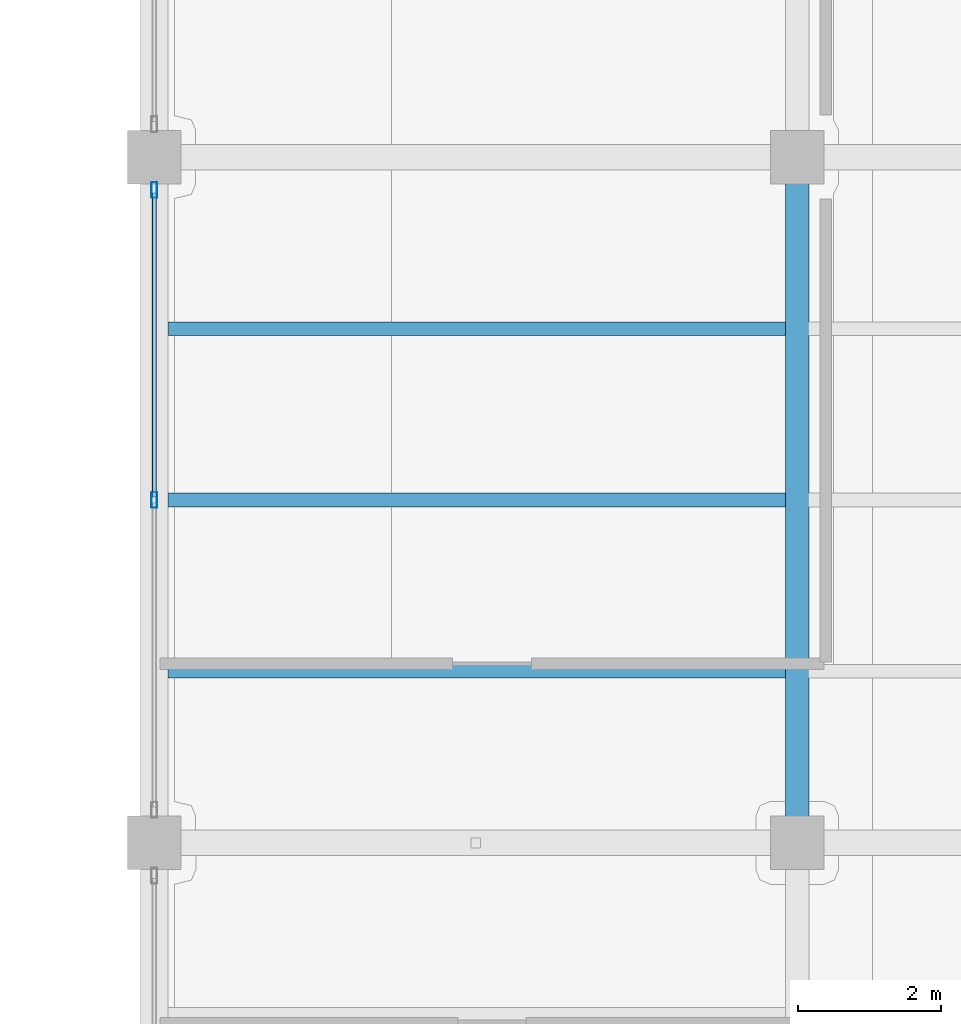
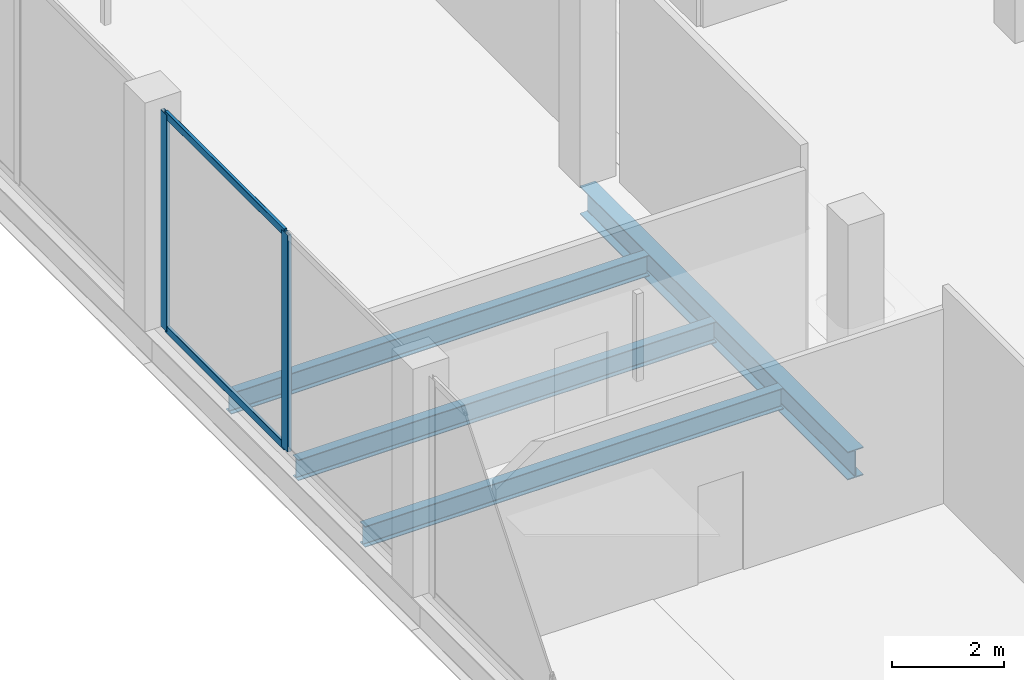
# One storey, part 9 of 47: 4 beams, 4 members, 1 element without a shape of its own.
"""IFC4 building model written with IfcOpenShell, lengths in metres."""

from ifc_helpers import new_model, si_unit, direction, frame, origin, origin_2d, place, context, subcontext, project, spatial, hollow_rectangle, i_section, extrude, material, layer, layer_set, material_profile, profile_set, type_object, element, aggregate, save


model = new_model("IFC4")

# Units and contexts
model_context = context("Model", 3, precision=1e-05, world=origin(), true_north=direction((0.0, 1.0)))
body_context = subcontext(model_context, "Body", "Model", "MODEL_VIEW")
ifc_project = project(units=[si_unit("LENGTHUNIT", "METRE"), si_unit("AREAUNIT", "SQUARE_METRE"), si_unit("VOLUMEUNIT", "CUBIC_METRE"), si_unit("PLANEANGLEUNIT", "RADIAN"), si_unit("MASSUNIT", "GRAM", prefix="KILO")], contexts=[model_context])

# Site, building, storey
site_placement = place(None, origin())
site = spatial("IfcSite", under=ifc_project, at=site_placement, CompositionType="ELEMENT")
building_placement = place(site_placement, origin())
building = spatial("IfcBuilding", under=site, at=building_placement, Name="Qorvath Tower", CompositionType="ELEMENT")
storey_placement = place(building_placement, frame((0.0, 0.0, 12.0)))
storey = spatial("IfcBuildingStorey", under=building, at=storey_placement, Name="L02", CompositionType="ELEMENT", Elevation=12.0)

# Beams
ifc_material_1 = material(Name="Steel ASTM A992 Grade 50", Category="steel")
ifc_material_profile_1 = material_profile(ifc_material_1, i_section(OverallWidth=0.324951171875, OverallDepth=0.615966796875, WebThickness=0.013916015625, FlangeThickness=0.021484375, FilletRadius=0.01611328125, at=origin_2d()), Name="W24x117")
ifc_profile_set_1 = profile_set([ifc_material_profile_1], Name="Steel ASTM A992 Grade 50")
beam_type_1 = type_object("IfcBeamType", Name="BM-FG5", PredefinedType="BEAM", material=ifc_profile_set_1)
beam_placement = place(storey_placement, frame((41.39990234375, 0.0, -0.568115234375), z_axis=(0.0, 1.0, 0.0), x_axis=(-1.0, 0.0, 0.0)))
element("IfcBeam", 1, at=beam_placement, inside=storey, type_object=beam_type_1, Name="Library N-S Girder L02-2-5", PredefinedType="BEAM", context=body_context, shape_type="SweptSolid", body=[
    extrude(i_section(OverallWidth=0.324951171875, OverallDepth=0.615966796875, WebThickness=0.013916015625, FlangeThickness=0.021484375, FilletRadius=0.01611328125, at=origin_2d()), origin(), (0.0, 0.0, 1.0), 9.60009765625),
])
ifc_material_2 = material(Name="Steel ASTM A992 Grade 50", Category="steel")
ifc_material_profile_2 = material_profile(ifc_material_2, i_section(OverallWidth=0.18994140625, OverallDepth=0.45703125, WebThickness=0.009033203125, FlangeThickness=0.014404296875, FilletRadius=0.011962890625, at=origin_2d()), Name="W18x50")
ifc_profile_set_2 = profile_set([ifc_material_profile_2], Name="Steel ASTM A992 Grade 50")
beam_type_2 = type_object("IfcBeamType", Name="BM-FJ2", PredefinedType="JOIST", material=ifc_profile_set_2)
for number, where, z_axis, x_axis, name in (
    (2, (32.58837890625, 2.39990234375, -0.488525390625), (1.0, 0.0, 0.0), (0.0, 1.0, 0.0), "Library Stack Joist L02-5.1-1"),
    (3, (32.58837890625, 4.800048828125, -0.488525390625), (1.0, 0.0, 0.0), (0.0, 1.0, 0.0), "Library Stack Joist L02-5.2-1"),
    (4, (32.58837890625, 7.199951171875, -0.488525390625), (1.0, 0.0, 0.0), (0.0, 1.0, 0.0), "Library Stack Joist L02-5.3-1"),
):
    element("IfcBeam", number, at=place(storey_placement, frame(where, z_axis=z_axis, x_axis=x_axis)), inside=storey, type_object=beam_type_2, Name=name, PredefinedType="JOIST", context=body_context, shape_type="SweptSolid", body=[
        extrude(i_section(OverallWidth=0.18994140625, OverallDepth=0.45703125, WebThickness=0.009033203125, FlangeThickness=0.014404296875, FilletRadius=0.011962890625, at=origin_2d()), origin(), (0.0, 0.0, 1.0), 8.651123046875),
    ])

# Curtain wall, members
ifc_material_3 = material(Name="Anodised aluminium and triple low-E glass", Category="aluminium")
ifc_layer = layer(ifc_material_3, 0.179931640625)
ifc_layer_set = layer_set([ifc_layer], Name="CW-SYS-6")
curtain_wall_type = type_object("IfcCurtainWallType", Name="CW-SYS-6", PredefinedType="NOTDEFINED", material=ifc_layer_set)
curtain_wall_placement = place(storey_placement, origin())
curtain_wall = element("IfcCurtainWall", 5, at=curtain_wall_placement, inside=storey, type_object=curtain_wall_type, Name="Curtain Wall CW-6 CW-LIB-W-L02-5", PredefinedType="NOTDEFINED")
ifc_material_4 = material(Name="Anodised aluminium 6063-T6", Category="aluminium")
ifc_material_profile_3 = material_profile(ifc_material_4, hollow_rectangle(XDim=0.080078125, YDim=0.219970703125, WallThickness=0.00439453125, InnerFilletRadius=0.00439453125, OuterFilletRadius=0.009033203125, at=origin_2d()), Name="CWM LIB 220x80")
ifc_profile_set_3 = profile_set([ifc_material_profile_3], Name="Anodised aluminium 6063-T6")
member_type_1 = type_object("IfcMemberType", Name="CWM-LIB", PredefinedType="MULLION", material=ifc_profile_set_3)
member_1_placement = place(storey_placement, frame((32.39990234375, 4.7998046875, 0.0), z_axis=(0.0, 0.0, 1.0), x_axis=(-1.0, 0.0, 0.0)))
member_1 = element("IfcMember", 6, at=member_1_placement, type_object=member_type_1, Name="CW-6 mullion 2", PredefinedType="MULLION", context=body_context, shape_type="SweptSolid", body=[
    extrude(hollow_rectangle(XDim=0.080078125, YDim=0.219970703125, WallThickness=0.00439453125, InnerFilletRadius=0.00439453125, OuterFilletRadius=0.009033203125, at=origin_2d()), origin(), (0.0, 0.0, 1.0), 4.739990234375),
])
member_2_placement = place(storey_placement, frame((32.39990234375, 9.139892578125, 0.0), z_axis=(0.0, 0.0, 1.0), x_axis=(-1.0, 0.0, 0.0)))
member_2 = element("IfcMember", 7, at=member_2_placement, type_object=member_type_1, Name="CW-6 mullion 3", PredefinedType="MULLION", context=body_context, shape_type="SweptSolid", body=[
    extrude(hollow_rectangle(XDim=0.080078125, YDim=0.219970703125, WallThickness=0.00439453125, InnerFilletRadius=0.00439453125, OuterFilletRadius=0.009033203125, at=origin_2d()), origin(), (0.0, 0.0, 1.0), 4.739990234375),
])
ifc_material_5 = material(Name="Anodised aluminium 6063-T6", Category="aluminium")
ifc_material_profile_4 = material_profile(ifc_material_5, hollow_rectangle(XDim=0.06494140625, YDim=0.159912109375, WallThickness=0.00341796875, InnerFilletRadius=0.00341796875, OuterFilletRadius=0.007080078125, at=origin_2d()), Name="CWT 160x65")
ifc_profile_set_4 = profile_set([ifc_material_profile_4], Name="Anodised aluminium 6063-T6")
member_type_2 = type_object("IfcMemberType", Name="CWT-160", PredefinedType="USERDEFINED", material=ifc_profile_set_4)
member_3_placement = place(storey_placement, frame((32.39990234375, 4.83984375, 0.032470703125), z_axis=(0.0, 1.0, 0.0), x_axis=(-1.0, 0.0, 0.0)))
member_3 = element("IfcMember", 8, at=member_3_placement, type_object=member_type_2, Name="CW-6 transom 2.1", ObjectType="TRANSOM", PredefinedType="USERDEFINED", context=body_context, shape_type="SweptSolid", body=[
    extrude(hollow_rectangle(XDim=0.06494140625, YDim=0.159912109375, WallThickness=0.00341796875, InnerFilletRadius=0.00341796875, OuterFilletRadius=0.007080078125, at=origin_2d()), origin(), (0.0, 0.0, 1.0), 4.260009765625),
])
member_4_placement = place(storey_placement, frame((32.39990234375, 4.83984375, 4.70751953125), z_axis=(0.0, 1.0, 0.0), x_axis=(-1.0, 0.0, 0.0)))
member_4 = element("IfcMember", 9, at=member_4_placement, type_object=member_type_2, Name="CW-6 transom 2.2", ObjectType="TRANSOM", PredefinedType="USERDEFINED", context=body_context, shape_type="SweptSolid", body=[
    extrude(hollow_rectangle(XDim=0.06494140625, YDim=0.159912109375, WallThickness=0.00341796875, InnerFilletRadius=0.00341796875, OuterFilletRadius=0.007080078125, at=origin_2d()), origin(), (0.0, 0.0, 1.0), 4.260009765625),
])
aggregate(curtain_wall, [member_1, member_2, member_3, member_4])

save(model, "model.ifc")
